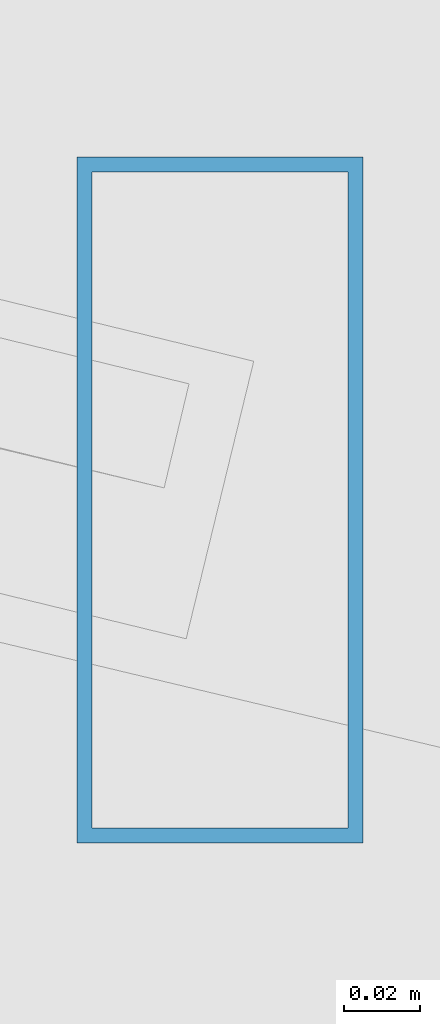
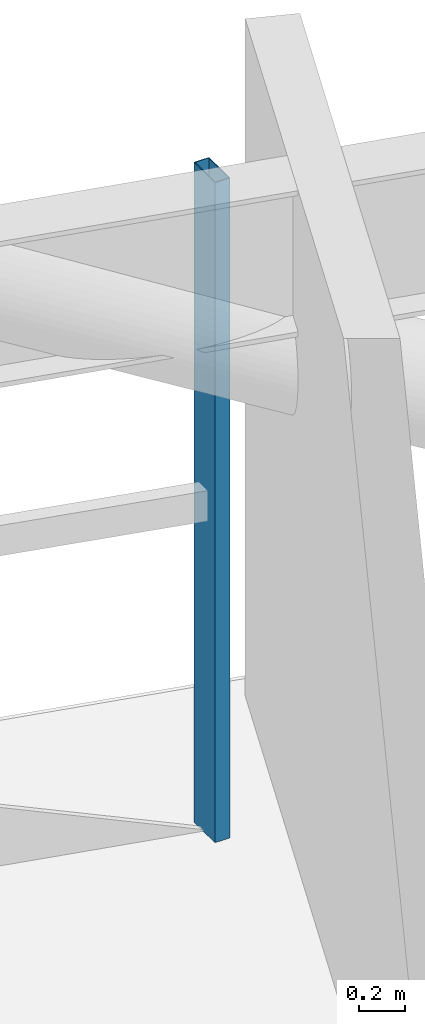
# One storey, part 19 of 33: 1 member, 1 element without a shape of its own.
"""IFC4 building model written with IfcOpenShell, lengths in metres."""

from ifc_helpers import new_model, si_unit, direction, frame, origin, origin_2d, place, context, subcontext, project, spatial, hollow_rectangle, extrude, material, layer, layer_set, material_profile, profile_set, type_object, element, aggregate, save


model = new_model("IFC4")

# Units and contexts
model_context = context("Model", 3, precision=1e-05, world=origin(), true_north=direction((0.0, 1.0)))
body_context = subcontext(model_context, "Body", "Model", "MODEL_VIEW")
ifc_project = project(units=[si_unit("LENGTHUNIT", "METRE"), si_unit("AREAUNIT", "SQUARE_METRE"), si_unit("VOLUMEUNIT", "CUBIC_METRE"), si_unit("PLANEANGLEUNIT", "RADIAN"), si_unit("MASSUNIT", "GRAM", prefix="KILO")], contexts=[model_context])

# Site, building, storey
site_placement = place(None, origin())
site = spatial("IfcSite", under=ifc_project, at=site_placement, CompositionType="ELEMENT")
building_placement = place(site_placement, origin())
building = spatial("IfcBuilding", under=site, at=building_placement, Name="Vantalir Tower", CompositionType="ELEMENT")
storey_placement = place(building_placement, frame((0.0, 0.0, 72.0)))
storey = spatial("IfcBuildingStorey", under=building, at=storey_placement, Name="L17", CompositionType="ELEMENT", Elevation=72.0)

# Curtain wall, member
ifc_material_1 = material(Name="Champagne-silver PVDF aluminium and double-silver Low-E glass", Category="aluminium")
ifc_layer = layer(ifc_material_1, 0.18994140625)
ifc_layer_set = layer_set([ifc_layer], Name="Champagne-silver PVDF aluminium and double-silver Low-E glass")
curtain_wall_type = type_object("IfcCurtainWallType", Name="CW-DIAMOND-Z1", PredefinedType="USERDEFINED", material=ifc_layer_set)
curtain_wall_placement = place(storey_placement, origin())
curtain_wall = element("IfcCurtainWall", 1, at=curtain_wall_placement, inside=storey, type_object=curtain_wall_type, Name="L17 Quilted Pyramid-Diamond Curtain Wall S03", ObjectType="UNITISED CURTAIN WALL", PredefinedType="USERDEFINED")
ifc_material_2 = material(Name="Champagne-silver PVDF aluminium 6063-T6", Category="aluminium")
ifc_material_profile = material_profile(ifc_material_2, hollow_rectangle(XDim=0.074951171875, YDim=0.179931640625, WallThickness=0.00390625, at=origin_2d()), Name="Champagne-silver PVDF aluminium 6063-T6")
ifc_profile_set = profile_set([ifc_material_profile], Name="Champagne-silver PVDF aluminium 6063-T6")
member_type = type_object("IfcMemberType", Name="CWM-180x75", PredefinedType="MULLION", material=ifc_profile_set)
member_placement = place(storey_placement, frame((40.322998046875, 47.7119140625, 0.044921875), z_axis=(0.0, 0.0, 1.0), x_axis=(1.0, 0.0, 0.0)))
member = element("IfcMember", 2, at=member_placement, type_object=member_type, Name="CW-L17-S03 Mullion 1", PredefinedType="MULLION", context=body_context, shape_type="SweptSolid", body=[
    extrude(hollow_rectangle(XDim=0.074951171875, YDim=0.179931640625, WallThickness=0.00390625, at=origin_2d()), origin(), (0.0, 0.0, 1.0), 3.47998046875),
])
aggregate(curtain_wall, [member])

save(model, "model.ifc")
